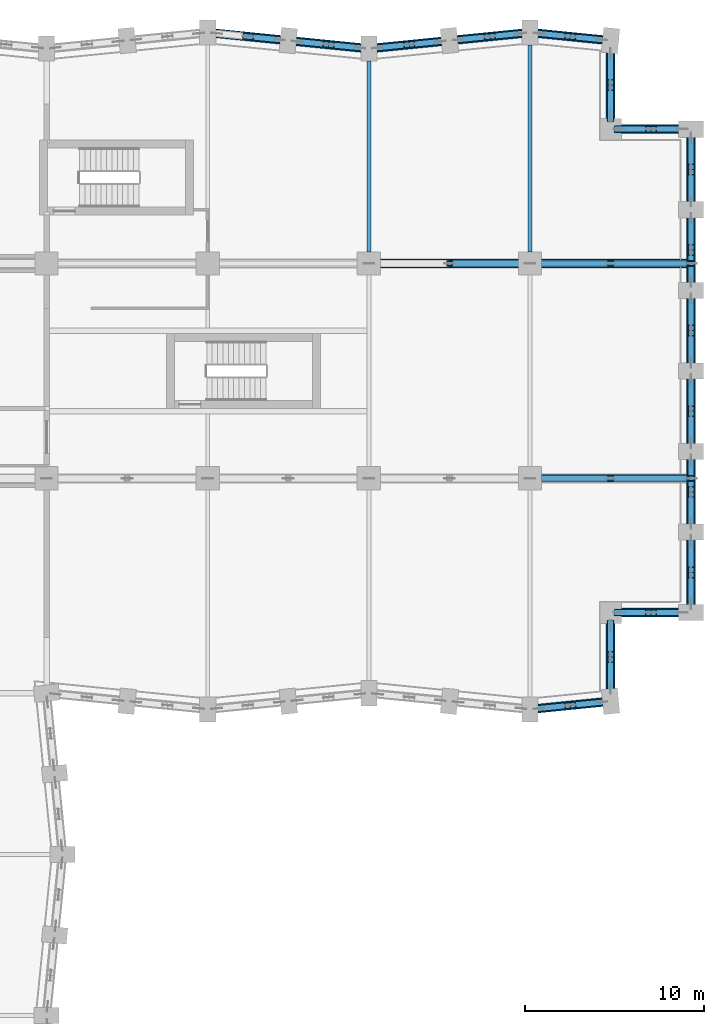
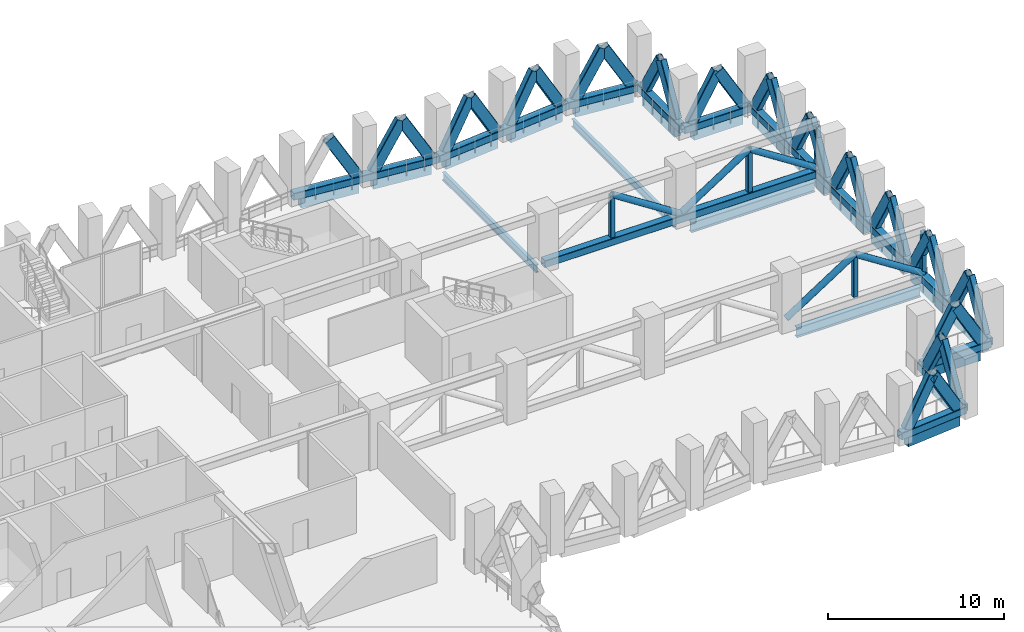
# One storey, part 12 of 25: 51 members, 20 beams.
"""IFC4 building model written with IfcOpenShell, lengths in metres."""

from ifc_helpers import new_model, si_unit, direction, frame, origin, origin_2d, place, context, subcontext, project, spatial, rectangle, hollow_rectangle, hollow_circle, i_section, extrude, material, material_profile, profile_set, type_object, element, save


model = new_model("IFC4")

# Units and contexts
model_context = context("Model", 3, precision=1e-05, world=origin(), true_north=direction((0.0, 1.0)))
body_context = subcontext(model_context, "Body", "Model", "MODEL_VIEW")
ifc_project = project(units=[si_unit("LENGTHUNIT", "METRE"), si_unit("AREAUNIT", "SQUARE_METRE"), si_unit("VOLUMEUNIT", "CUBIC_METRE"), si_unit("PLANEANGLEUNIT", "RADIAN"), si_unit("MASSUNIT", "GRAM", prefix="KILO")], contexts=[model_context])

# Site, building, storey
site_placement = place(None, origin())
site = spatial("IfcSite", under=ifc_project, at=site_placement, CompositionType="ELEMENT")
building_placement = place(site_placement, origin())
building = spatial("IfcBuilding", under=site, at=building_placement, Name="Brondeck Convention Tower", CompositionType="ELEMENT")
storey_placement = place(building_placement, frame((0.0, 0.0, 84.300048828125)))
storey = spatial("IfcBuildingStorey", under=building, at=storey_placement, Name="L19", CompositionType="ELEMENT", Elevation=84.300048828125)

# Members
ifc_material_1 = material(Name="Steel S460", Category="steel")
ifc_material_profile_1 = material_profile(ifc_material_1, hollow_rectangle(XDim=0.39990234375, YDim=0.699951171875, WallThickness=0.030029296875, InnerFilletRadius=0.030029296875, OuterFilletRadius=0.06005859375, at=origin_2d()), Name="RHS 700x400x30")
ifc_profile_set_1 = profile_set([ifc_material_profile_1], Name="Steel S460")
member_type_1 = type_object("IfcMemberType", Name="Chevron brace RHS 700x400x30", PredefinedType="BRACE", material=ifc_profile_set_1)
for number, where, z_axis, x_axis, name in (
    (1, (63.497802734375, 26.14990234375, 0.5), (0.49751766528, 0.049703241745, 0.866028729601), (-0.099407628771, 0.995046794549, 0.0), "Belt truss BT-19-20 diagonal"),
    (2, (67.002197265625, 26.500244140625, 0.5), (-0.497515949904, -0.049772391254, 0.866025743647), (0.099544899705, -0.995033071281, 0.0), "Belt truss BT-19-20 diagonal"),
):
    element("IfcMember", number, at=place(storey_placement, frame(where, z_axis=z_axis, x_axis=x_axis)), inside=storey, type_object=member_type_1, Name=name, PredefinedType="BRACE", context=body_context, shape_type="SweptSolid", body=[
        extrude(hollow_rectangle(XDim=0.39990234375, YDim=0.699951171875, WallThickness=0.030029296875, InnerFilletRadius=0.030029296875, OuterFilletRadius=0.06005859375, at=origin_2d()), origin(), (0.0, 0.0, 1.0), 3.52197265625),
    ])
member_1_placement = place(storey_placement, frame((67.5, 27.26416015625, 0.5), z_axis=(0.0, 0.499956486466, 0.866050524878), x_axis=(-1.0, 0.0, 0.0)))
element("IfcMember", 3, at=member_1_placement, inside=storey, type_object=member_type_1, Name="Belt truss BT-19-21 diagonal", PredefinedType="BRACE", context=body_context, shape_type="SweptSolid", body=[
    extrude(hollow_rectangle(XDim=0.39990234375, YDim=0.699951171875, WallThickness=0.030029296875, InnerFilletRadius=0.030029296875, OuterFilletRadius=0.06005859375, at=origin_2d()), origin(), (0.0, 0.0, 1.0), 3.521728515625),
])
for number, where, z_axis, x_axis, name in (
    (4, (67.5, 30.785888671875, 0.5), (0.0, -0.500008478926, 0.866020508419), (1.0, 0.0, 0.0), "Belt truss BT-19-21 diagonal"),
    (5, (67.989013671875, 31.5, 0.5), (0.500008478926, 0.0, 0.866020508419), (0.0, 1.0, 0.0), "Belt truss BT-19-22 diagonal"),
    (6, (71.510986328125, 31.5, 0.5), (-0.500008478926, 0.0, 0.866020508419), (0.0, -1.0, 0.0), "Belt truss BT-19-22 diagonal"),
    (7, (72.0, 31.989013671875, 0.5), (0.0, 0.500008478926, 0.866020508419), (-1.0, 0.0, 0.0), "Belt truss BT-19-23 diagonal"),
    (8, (72.0, 35.510986328125, 0.5), (0.0, -0.500008478926, 0.866020508419), (1.0, 0.0, 0.0), "Belt truss BT-19-23 diagonal"),
    (9, (72.0, 36.489013671875, 0.5), (0.0, 0.500008478926, 0.866020508419), (-1.0, 0.0, 0.0), "Belt truss BT-19-24 diagonal"),
    (10, (72.0, 40.010986328125, 0.5), (0.0, -0.500008478926, 0.866020508419), (1.0, 0.0, 0.0), "Belt truss BT-19-24 diagonal"),
    (11, (72.0, 40.989013671875, 0.5), (0.0, 0.500008478926, 0.866020508419), (-1.0, 0.0, 0.0), "Belt truss BT-19-25 diagonal"),
    (12, (72.0, 44.510986328125, 0.5), (0.0, -0.500008478926, 0.866020508419), (1.0, 0.0, 0.0), "Belt truss BT-19-25 diagonal"),
    (13, (72.0, 45.489013671875, 0.5), (0.0, 0.500008478926, 0.866020508419), (-1.0, 0.0, 0.0), "Belt truss BT-19-26 diagonal"),
    (14, (72.0, 49.010986328125, 0.5), (0.0, -0.500008478926, 0.866020508419), (1.0, 0.0, 0.0), "Belt truss BT-19-26 diagonal"),
    (15, (72.0, 49.989013671875, 0.5), (0.0, 0.500008478926, 0.866020508419), (-1.0, 0.0, 0.0), "Belt truss BT-19-27 diagonal"),
    (16, (72.0, 53.510986328125, 0.5), (0.0, -0.500008478926, 0.866020508419), (1.0, 0.0, 0.0), "Belt truss BT-19-27 diagonal"),
    (17, (72.0, 54.489013671875, 0.5), (0.0, 0.500008478926, 0.866020508419), (-1.0, 0.0, 0.0), "Belt truss BT-19-28 diagonal"),
    (18, (72.0, 58.010986328125, 0.5), (0.0, -0.500008478926, 0.866020508419), (1.0, 0.0, 0.0), "Belt truss BT-19-28 diagonal"),
    (19, (71.510986328125, 58.5, 0.5), (-0.500008478926, 0.0, 0.866020508419), (0.0, -1.0, 0.0), "Belt truss BT-19-29 diagonal"),
    (20, (67.989013671875, 58.5, 0.5), (0.500008478926, 0.0, 0.866020508419), (0.0, 1.0, 0.0), "Belt truss BT-19-29 diagonal"),
    (21, (67.5, 59.214111328125, 0.5), (0.0, 0.500008478926, 0.866020508419), (-1.0, 0.0, 0.0), "Belt truss BT-19-30 diagonal"),
):
    element("IfcMember", number, at=place(storey_placement, frame(where, z_axis=z_axis, x_axis=x_axis)), inside=storey, type_object=member_type_1, Name=name, PredefinedType="BRACE", context=body_context, shape_type="SweptSolid", body=[
        extrude(hollow_rectangle(XDim=0.39990234375, YDim=0.699951171875, WallThickness=0.030029296875, InnerFilletRadius=0.030029296875, OuterFilletRadius=0.06005859375, at=origin_2d()), origin(), (0.0, 0.0, 1.0), 3.52197265625),
    ])
member_2_placement = place(storey_placement, frame((67.5, 62.73583984375, 0.5), z_axis=(0.0, -0.499956486466, 0.866050524878), x_axis=(1.0, 0.0, 0.0)))
element("IfcMember", 22, at=member_2_placement, inside=storey, type_object=member_type_1, Name="Belt truss BT-19-30 diagonal", PredefinedType="BRACE", context=body_context, shape_type="SweptSolid", body=[
    extrude(hollow_rectangle(XDim=0.39990234375, YDim=0.699951171875, WallThickness=0.030029296875, InnerFilletRadius=0.030029296875, OuterFilletRadius=0.06005859375, at=origin_2d()), origin(), (0.0, 0.0, 1.0), 3.521728515625),
])
for number, where, z_axis, x_axis, name in (
    (23, (67.002197265625, 63.499755859375, 0.5), (-0.497515949904, 0.049772391254, 0.866025743647), (-0.099544899705, -0.995033071281, 0.0), "Belt truss BT-19-31 diagonal"),
    (24, (63.497802734375, 63.85009765625, 0.5), (0.49751766528, -0.049703241745, 0.866028729601), (0.099407628771, 0.995046794549, 0.0), "Belt truss BT-19-31 diagonal"),
    (25, (62.502197265625, 63.85009765625, 0.5), (-0.49751766528, -0.049703241745, 0.866028729601), (0.099407628771, -0.995046794549, 0.0), "Belt truss BT-19-32 diagonal"),
    (26, (58.997802734375, 63.499755859375, 0.5), (0.497515949904, 0.049772391254, 0.866025743647), (-0.099544899705, 0.995033071281, 0.0), "Belt truss BT-19-32 diagonal"),
    (27, (58.002197265625, 63.400146484375, 0.5), (-0.49751766528, -0.049703241745, 0.866028729601), (0.099407628771, -0.995046794549, 0.0), "Belt truss BT-19-33 diagonal"),
    (28, (54.497802734375, 63.0498046875, 0.5), (0.497515949904, 0.049772391254, 0.866025743647), (-0.099544899705, 0.995033071281, 0.0), "Belt truss BT-19-33 diagonal"),
    (29, (53.502197265625, 63.0498046875, 0.5), (-0.497515949904, 0.049772391254, 0.866025743647), (-0.099544899705, -0.995033071281, 0.0), "Belt truss BT-19-34 diagonal"),
    (30, (49.997802734375, 63.400146484375, 0.5), (0.49751766528, -0.049703241745, 0.866028729601), (0.099407628771, 0.995046794549, 0.0), "Belt truss BT-19-34 diagonal"),
    (31, (49.002197265625, 63.499755859375, 0.5), (-0.497515949904, 0.049772391254, 0.866025743647), (-0.099544899705, -0.995033071281, 0.0), "Belt truss BT-19-35 diagonal"),
):
    element("IfcMember", number, at=place(storey_placement, frame(where, z_axis=z_axis, x_axis=x_axis)), inside=storey, type_object=member_type_1, Name=name, PredefinedType="BRACE", context=body_context, shape_type="SweptSolid", body=[
        extrude(hollow_rectangle(XDim=0.39990234375, YDim=0.699951171875, WallThickness=0.030029296875, InnerFilletRadius=0.030029296875, OuterFilletRadius=0.06005859375, at=origin_2d()), origin(), (0.0, 0.0, 1.0), 3.52197265625),
    ])

# Beams
ifc_material_2 = material(Name="Steel S355", Category="steel")
ifc_material_profile_2 = material_profile(ifc_material_2, i_section(OverallWidth=0.2099609375, OverallDepth=0.550048828125, WebThickness=0.010986328125, FlangeThickness=0.01708984375, FilletRadius=0.02392578125, at=origin_2d()), Name="IPE 550")
ifc_profile_set_2 = profile_set([ifc_material_profile_2], Name="Steel S355")
beam_type_1 = type_object("IfcBeamType", Name="Floor beam IPE 550", PredefinedType="BEAM", material=ifc_profile_set_2)
beam_1_placement = place(storey_placement, frame((54.0, 51.64990234375, -0.574951171875), z_axis=(0.0, 1.0, 0.0), x_axis=(-1.0, 0.0, 0.0)))
element("IfcBeam", 32, at=beam_1_placement, inside=storey, type_object=beam_type_1, Name="STR-FB-L19-005", PredefinedType="BEAM", context=body_context, shape_type="SweptSolid", body=[
    extrude(i_section(OverallWidth=0.2099609375, OverallDepth=0.550048828125, WebThickness=0.010986328125, FlangeThickness=0.01708984375, FilletRadius=0.02392578125, at=origin_2d()), origin(), (0.0, 0.0, 1.0), 10.650146484375),
])
beam_2_placement = place(storey_placement, frame((63.0, 51.64990234375, -0.574951171875), z_axis=(0.0, 1.0, 0.0), x_axis=(-1.0, 0.0, 0.0)))
element("IfcBeam", 33, at=beam_2_placement, inside=storey, type_object=beam_type_1, Name="STR-FB-L19-008", PredefinedType="BEAM", context=body_context, shape_type="SweptSolid", body=[
    extrude(i_section(OverallWidth=0.2099609375, OverallDepth=0.550048828125, WebThickness=0.010986328125, FlangeThickness=0.01708984375, FilletRadius=0.02392578125, at=origin_2d()), origin(), (0.0, 0.0, 1.0), 11.550048828125),
])
ifc_material_profile_3 = material_profile(ifc_material_2, i_section(OverallWidth=0.300048828125, OverallDepth=0.699951171875, WebThickness=0.01708984375, FlangeThickness=0.031982421875, FilletRadius=0.027099609375, at=origin_2d()), Name="HEB 700")
ifc_profile_set_3 = profile_set([ifc_material_profile_3], Name="Steel S355")
beam_type_2 = type_object("IfcBeamType", Name="Girder HEB 700", PredefinedType="BEAM", material=ifc_profile_set_3)
for number, where, z_axis, x_axis, name in (
    (34, (63.64990234375, 39.0, -0.650146484375), (1.0, 0.0, 0.0), (0.0, 1.0, 0.0), "STR-GR-L19-004"),
    (35, (63.64990234375, 51.0, -0.650146484375), (1.0, 0.0, 0.0), (0.0, 1.0, 0.0), "STR-GR-L19-008"),
):
    element("IfcBeam", number, at=place(storey_placement, frame(where, z_axis=z_axis, x_axis=x_axis)), inside=storey, type_object=beam_type_2, Name=name, PredefinedType="BEAM", context=body_context, shape_type="SweptSolid", body=[
        extrude(i_section(OverallWidth=0.300048828125, OverallDepth=0.699951171875, WebThickness=0.01708984375, FlangeThickness=0.031982421875, FilletRadius=0.027099609375, at=origin_2d()), origin(), (0.0, 0.0, 1.0), 8.125),
    ])
ifc_material_3 = material(Name="Concrete C80/95", Category="concrete")
ifc_material_profile_4 = material_profile(ifc_material_3, rectangle(XDim=0.449951171875, YDim=0.64990234375, at=origin_2d()), Name="Precast spandrel 450x650 Concrete C80/95")
ifc_profile_set_4 = profile_set([ifc_material_profile_4], Name="Concrete C80/95")
beam_type_3 = type_object("IfcBeamType", Name="Precast spandrel 450x650 Concrete C80/95", PredefinedType="SPANDREL", material=ifc_profile_set_4)
beam_3_placement = place(storey_placement, frame((63.449951171875, 26.14501953125, -0.324951171875), z_axis=(0.995040528141, 0.099470334057, 0.0), x_axis=(-0.099470334057, 0.995040528141, 0.0)))
element("IfcBeam", 36, at=beam_3_placement, inside=storey, type_object=beam_type_3, Name="STR-SP-L19-020", PredefinedType="SPANDREL", context=body_context, shape_type="SweptSolid", body=[
    extrude(rectangle(XDim=0.449951171875, YDim=0.64990234375, at=origin_2d()), origin(), (0.0, 0.0, 1.0), 3.620361328125),
])
beam_4_placement = place(storey_placement, frame((67.5, 27.25341796875, -0.324951171875), z_axis=(0.0, 1.0, 0.0), x_axis=(-1.0, 0.0, 0.0)))
element("IfcBeam", 37, at=beam_4_placement, inside=storey, type_object=beam_type_3, Name="STR-SP-L19-021", PredefinedType="SPANDREL", context=body_context, shape_type="SweptSolid", body=[
    extrude(rectangle(XDim=0.449951171875, YDim=0.64990234375, at=origin_2d()), origin(), (0.0, 0.0, 1.0), 3.646484375),
])
beam_5_placement = place(storey_placement, frame((68.10009765625, 31.5, -0.324951171875), z_axis=(1.0, 0.0, 0.0), x_axis=(0.0, 1.0, 0.0)))
element("IfcBeam", 38, at=beam_5_placement, inside=storey, type_object=beam_type_3, Name="STR-SP-L19-022", PredefinedType="SPANDREL", context=body_context, shape_type="SweptSolid", body=[
    extrude(rectangle(XDim=0.449951171875, YDim=0.64990234375, at=origin_2d()), origin(), (0.0, 0.0, 1.0), 3.199951171875),
])
for number, where, z_axis, x_axis, name in (
    (39, (72.0, 31.949951171875, -0.324951171875), (0.0, 1.0, 0.0), (-1.0, 0.0, 0.0), "STR-SP-L19-023"),
    (40, (72.0, 36.449951171875, -0.324951171875), (0.0, 1.0, 0.0), (-1.0, 0.0, 0.0), "STR-SP-L19-024"),
    (41, (72.0, 40.949951171875, -0.324951171875), (0.0, 1.0, 0.0), (-1.0, 0.0, 0.0), "STR-SP-L19-025"),
    (42, (72.0, 45.449951171875, -0.324951171875), (0.0, 1.0, 0.0), (-1.0, 0.0, 0.0), "STR-SP-L19-026"),
    (43, (72.0, 49.949951171875, -0.324951171875), (0.0, 1.0, 0.0), (-1.0, 0.0, 0.0), "STR-SP-L19-027"),
    (44, (72.0, 54.449951171875, -0.324951171875), (0.0, 1.0, 0.0), (-1.0, 0.0, 0.0), "STR-SP-L19-028"),
):
    element("IfcBeam", number, at=place(storey_placement, frame(where, z_axis=z_axis, x_axis=x_axis)), inside=storey, type_object=beam_type_3, Name=name, PredefinedType="SPANDREL", context=body_context, shape_type="SweptSolid", body=[
        extrude(rectangle(XDim=0.449951171875, YDim=0.64990234375, at=origin_2d()), origin(), (0.0, 0.0, 1.0), 3.60009765625),
    ])
beam_6_placement = place(storey_placement, frame((71.300048828125, 58.5, -0.324951171875), z_axis=(-1.0, 0.0, 0.0), x_axis=(0.0, -1.0, 0.0)))
element("IfcBeam", 45, at=beam_6_placement, inside=storey, type_object=beam_type_3, Name="STR-SP-L19-029", PredefinedType="SPANDREL", context=body_context, shape_type="SweptSolid", body=[
    extrude(rectangle(XDim=0.449951171875, YDim=0.64990234375, at=origin_2d()), origin(), (0.0, 0.0, 1.0), 3.199951171875),
])
beam_7_placement = place(storey_placement, frame((67.5, 59.10009765625, -0.324951171875), z_axis=(0.0, 1.0, 0.0), x_axis=(-1.0, 0.0, 0.0)))
element("IfcBeam", 46, at=beam_7_placement, inside=storey, type_object=beam_type_3, Name="STR-SP-L19-030", PredefinedType="SPANDREL", context=body_context, shape_type="SweptSolid", body=[
    extrude(rectangle(XDim=0.449951171875, YDim=0.64990234375, at=origin_2d()), origin(), (0.0, 0.0, 1.0), 3.646484375),
])
for number, where, z_axis, x_axis, name in (
    (47, (67.05224609375, 63.494873046875, -0.324951171875), (-0.995040528141, 0.099470334057, 0.0), (-0.099470334057, -0.995040528141, 0.0), "STR-SP-L19-031"),
    (48, (62.550048828125, 63.85498046875, -0.324951171875), (-0.995040528141, -0.099470334057, 0.0), (0.099470334057, -0.995040528141, 0.0), "STR-SP-L19-032"),
    (49, (58.05224609375, 63.4052734375, -0.324951171875), (-0.995033851182, -0.099537103649, 0.0), (0.099537103649, -0.995033851182, 0.0), "STR-SP-L19-033"),
    (50, (53.550048828125, 63.044921875, -0.324951171875), (-0.995033851182, 0.099537103649, 0.0), (-0.099537103649, -0.995033851182, 0.0), "STR-SP-L19-034"),
    (51, (49.05224609375, 63.494873046875, -0.324951171875), (-0.995040528141, 0.099470334057, 0.0), (-0.099470334057, -0.995040528141, 0.0), "STR-SP-L19-035"),
):
    element("IfcBeam", number, at=place(storey_placement, frame(where, z_axis=z_axis, x_axis=x_axis)), inside=storey, type_object=beam_type_3, Name=name, PredefinedType="SPANDREL", context=body_context, shape_type="SweptSolid", body=[
        extrude(rectangle(XDim=0.449951171875, YDim=0.64990234375, at=origin_2d()), origin(), (0.0, 0.0, 1.0), 3.620361328125),
    ])

# Members
ifc_material_profile_5 = material_profile(ifc_material_1, hollow_rectangle(XDim=0.5, YDim=0.5, WallThickness=0.02490234375, InnerFilletRadius=0.02490234375, OuterFilletRadius=0.050048828125, at=origin_2d()), Name="RHS 500x500x25")
ifc_profile_set_5 = profile_set([ifc_material_profile_5], Name="Steel S460")
member_type_2 = type_object("IfcMemberType", Name="Truss chord RHS 500x500x25", PredefinedType="CHORD", material=ifc_profile_set_5)
member_3_placement = place(storey_placement, frame((63.0, 26.10009765625, 0.25), z_axis=(0.995038259148, 0.099493029059, 0.0), x_axis=(-0.099493029059, 0.995038259148, 0.0)))
element("IfcMember", 52, at=member_3_placement, inside=storey, type_object=member_type_2, Name="Belt truss BT-19-10 chord", PredefinedType="CHORD", context=body_context, shape_type="SweptSolid", body=[
    extrude(hollow_rectangle(XDim=0.5, YDim=0.5, WallThickness=0.02490234375, InnerFilletRadius=0.02490234375, OuterFilletRadius=0.050048828125, at=origin_2d()), origin(), (0.0, 0.0, 1.0), 4.5224609375),
])
member_4_placement = place(storey_placement, frame((67.5, 26.550048828125, 0.25), z_axis=(0.0, 1.0, 0.0), x_axis=(-1.0, 0.0, 0.0)))
element("IfcMember", 53, at=member_4_placement, inside=storey, type_object=member_type_2, Name="Belt truss BT-19-11 chord", PredefinedType="CHORD", context=body_context, shape_type="SweptSolid", body=[
    extrude(hollow_rectangle(XDim=0.5, YDim=0.5, WallThickness=0.02490234375, InnerFilletRadius=0.02490234375, OuterFilletRadius=0.050048828125, at=origin_2d()), origin(), (0.0, 0.0, 1.0), 4.949951171875),
])
member_5_placement = place(storey_placement, frame((67.5, 31.5, 0.25), z_axis=(1.0, 0.0, 0.0), x_axis=(0.0, 1.0, 0.0)))
element("IfcMember", 54, at=member_5_placement, inside=storey, type_object=member_type_2, Name="Belt truss BT-19-12 chord", PredefinedType="CHORD", context=body_context, shape_type="SweptSolid", body=[
    extrude(hollow_rectangle(XDim=0.5, YDim=0.5, WallThickness=0.02490234375, InnerFilletRadius=0.02490234375, OuterFilletRadius=0.050048828125, at=origin_2d()), origin(), (0.0, 0.0, 1.0), 4.5),
])
member_6_placement = place(storey_placement, frame((72.0, 31.5, 0.25), z_axis=(0.0, 1.0, 0.0), x_axis=(-1.0, 0.0, 0.0)))
element("IfcMember", 55, at=member_6_placement, inside=storey, type_object=member_type_2, Name="Belt truss BT-19-13 chord", PredefinedType="CHORD", context=body_context, shape_type="SweptSolid", body=[
    extrude(hollow_rectangle(XDim=0.5, YDim=0.5, WallThickness=0.02490234375, InnerFilletRadius=0.02490234375, OuterFilletRadius=0.050048828125, at=origin_2d()), origin(), (0.0, 0.0, 1.0), 27.0),
])
member_7_placement = place(storey_placement, frame((72.0, 58.5, 0.25), z_axis=(-1.0, 0.0, 0.0), x_axis=(0.0, -1.0, 0.0)))
element("IfcMember", 56, at=member_7_placement, inside=storey, type_object=member_type_2, Name="Belt truss BT-19-14 chord", PredefinedType="CHORD", context=body_context, shape_type="SweptSolid", body=[
    extrude(hollow_rectangle(XDim=0.5, YDim=0.5, WallThickness=0.02490234375, InnerFilletRadius=0.02490234375, OuterFilletRadius=0.050048828125, at=origin_2d()), origin(), (0.0, 0.0, 1.0), 4.5),
])
member_8_placement = place(storey_placement, frame((67.5, 58.5, 0.25), z_axis=(0.0, 1.0, 0.0), x_axis=(-1.0, 0.0, 0.0)))
element("IfcMember", 57, at=member_8_placement, inside=storey, type_object=member_type_2, Name="Belt truss BT-19-15 chord", PredefinedType="CHORD", context=body_context, shape_type="SweptSolid", body=[
    extrude(hollow_rectangle(XDim=0.5, YDim=0.5, WallThickness=0.02490234375, InnerFilletRadius=0.02490234375, OuterFilletRadius=0.050048828125, at=origin_2d()), origin(), (0.0, 0.0, 1.0), 4.949951171875),
])
member_9_placement = place(storey_placement, frame((67.5, 63.449951171875, 0.25), z_axis=(-0.995038259148, 0.099493029059, 0.0), x_axis=(-0.099493029059, -0.995038259148, 0.0)))
element("IfcMember", 58, at=member_9_placement, inside=storey, type_object=member_type_2, Name="Belt truss BT-19-16 chord", PredefinedType="CHORD", context=body_context, shape_type="SweptSolid", body=[
    extrude(hollow_rectangle(XDim=0.5, YDim=0.5, WallThickness=0.02490234375, InnerFilletRadius=0.02490234375, OuterFilletRadius=0.050048828125, at=origin_2d()), origin(), (0.0, 0.0, 1.0), 4.5224609375),
])
for number, where, z_axis, x_axis, name in (
    (59, (63.0, 63.89990234375, 0.25), (-0.995038259148, -0.099493029059, 0.0), (0.099493029059, -0.995038259148, 0.0), "Belt truss BT-19-17 chord"),
    (60, (54.0, 63.0, 0.25), (-0.995038259148, 0.099493029059, 0.0), (-0.099493029059, -0.995038259148, 0.0), "Belt truss BT-19-18 chord"),
):
    element("IfcMember", number, at=place(storey_placement, frame(where, z_axis=z_axis, x_axis=x_axis)), inside=storey, type_object=member_type_2, Name=name, PredefinedType="CHORD", context=body_context, shape_type="SweptSolid", body=[
        extrude(hollow_rectangle(XDim=0.5, YDim=0.5, WallThickness=0.02490234375, InnerFilletRadius=0.02490234375, OuterFilletRadius=0.050048828125, at=origin_2d()), origin(), (0.0, 0.0, 1.0), 9.044921875),
    ])
member_10_placement = place(storey_placement, frame((54.0, 51.0, 0.25), z_axis=(1.0, 0.0, 0.0), x_axis=(0.0, 1.0, 0.0)))
element("IfcMember", 61, at=member_10_placement, inside=storey, type_object=member_type_2, Name="Outrigger truss OT-19-A2 chord", PredefinedType="CHORD", context=body_context, shape_type="SweptSolid", body=[
    extrude(hollow_rectangle(XDim=0.5, YDim=0.5, WallThickness=0.02490234375, InnerFilletRadius=0.02490234375, OuterFilletRadius=0.050048828125, at=origin_2d()), origin(), (0.0, 0.0, 1.0), 18.0),
])
ifc_material_profile_6 = material_profile(ifc_material_1, hollow_circle(Radius=0.203125, WallThickness=0.02490234375, at=origin_2d()), Name="CHS 406.4x25")
ifc_profile_set_6 = profile_set([ifc_material_profile_6], Name="Steel S460")
member_type_3 = type_object("IfcMemberType", Name="Truss diagonal CHS 406.4x25", PredefinedType="BRACE", material=ifc_profile_set_6)
for number, where, z_axis, x_axis, name in (
    (62, (63.0, 39.0, 0.5), (0.84057934116, 0.0, 0.541688444786), (0.0, 1.0, 0.0), "Outrigger truss OT-19-A1 diagonal"),
    (63, (67.5, 39.0, 3.39990234375), (0.84057934116, 0.0, -0.541688444786), (0.0, 1.0, 0.0), "Outrigger truss OT-19-A1 diagonal"),
    (64, (58.5, 51.0, 3.39990234375), (0.84057934116, 0.0, -0.541688444786), (0.0, 1.0, 0.0), "Outrigger truss OT-19-A2 diagonal"),
    (65, (63.0, 51.0, 0.5), (0.84057934116, 0.0, 0.541688444786), (0.0, 1.0, 0.0), "Outrigger truss OT-19-A2 diagonal"),
    (66, (67.5, 51.0, 3.39990234375), (0.84057934116, 0.0, -0.541688444786), (0.0, 1.0, 0.0), "Outrigger truss OT-19-A2 diagonal"),
):
    element("IfcMember", number, at=place(storey_placement, frame(where, z_axis=z_axis, x_axis=x_axis)), inside=storey, type_object=member_type_3, Name=name, PredefinedType="BRACE", context=body_context, shape_type="SweptSolid", body=[
        extrude(hollow_circle(Radius=0.203125, WallThickness=0.02490234375, at=origin_2d()), origin(), (0.0, 0.0, 1.0), 5.353515625),
    ])
ifc_material_profile_7 = material_profile(ifc_material_1, hollow_rectangle(XDim=0.300048828125, YDim=0.300048828125, WallThickness=0.01611328125, InnerFilletRadius=0.01611328125, OuterFilletRadius=0.031982421875, at=origin_2d()), Name="RHS 300x300x16")
ifc_profile_set_7 = profile_set([ifc_material_profile_7], Name="Steel S460")
member_type_4 = type_object("IfcMemberType", Name="Truss vertical RHS 300x300x16", PredefinedType="STRUT", material=ifc_profile_set_7)
for number, where, z_axis, x_axis, name in (
    (67, (67.5, 39.0, 0.5), (0.0, 0.0, 1.0), (1.0, 0.0, 0.0), "Outrigger truss OT-19-A1 vertical"),
    (68, (72.0, 39.0, 0.5), (0.0, 0.0, 1.0), (1.0, 0.0, 0.0), "Outrigger truss OT-19-A1 vertical"),
    (69, (58.5, 51.0, 0.5), (0.0, 0.0, 1.0), (1.0, 0.0, 0.0), "Outrigger truss OT-19-A2 vertical"),
    (70, (67.5, 51.0, 0.5), (0.0, 0.0, 1.0), (1.0, 0.0, 0.0), "Outrigger truss OT-19-A2 vertical"),
    (71, (72.0, 51.0, 0.5), (0.0, 0.0, 1.0), (1.0, 0.0, 0.0), "Outrigger truss OT-19-A2 vertical"),
):
    element("IfcMember", number, at=place(storey_placement, frame(where, z_axis=z_axis, x_axis=x_axis)), inside=storey, type_object=member_type_4, Name=name, PredefinedType="STRUT", context=body_context, shape_type="SweptSolid", body=[
        extrude(hollow_rectangle(XDim=0.300048828125, YDim=0.300048828125, WallThickness=0.01611328125, InnerFilletRadius=0.01611328125, OuterFilletRadius=0.031982421875, at=origin_2d()), origin(), (0.0, 0.0, 1.0), 2.89990234375),
    ])

save(model, "model.ifc")
